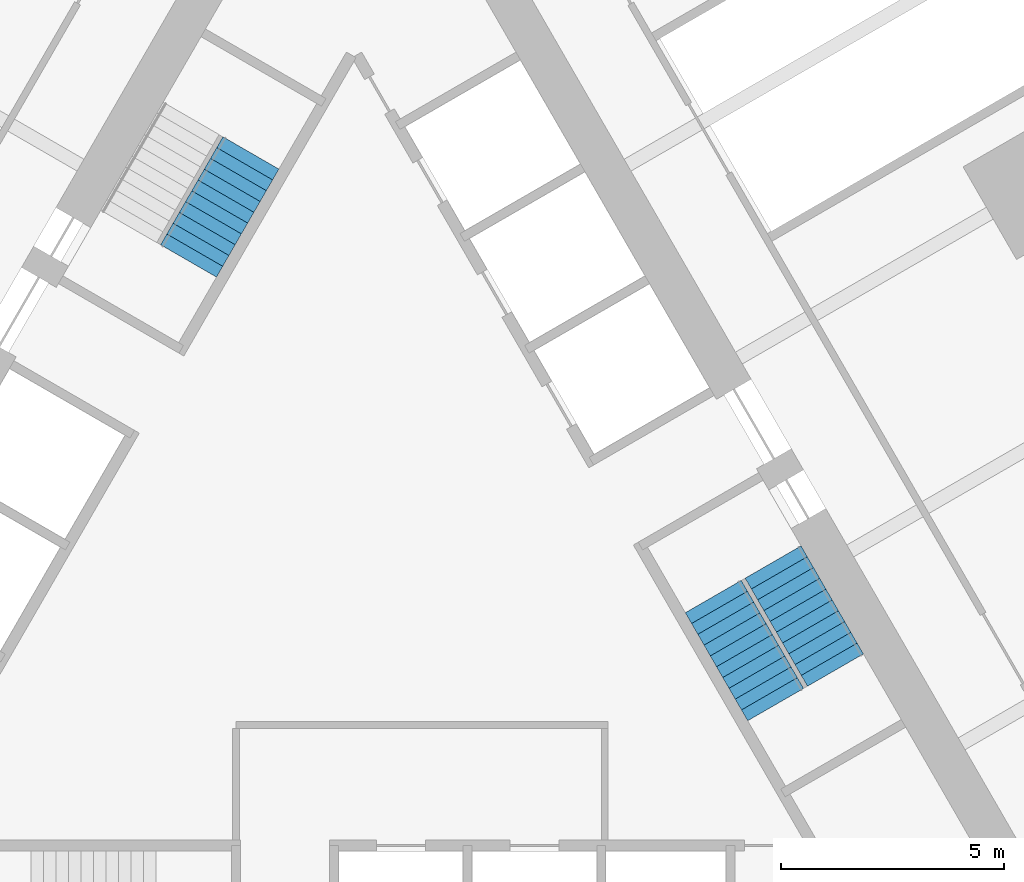
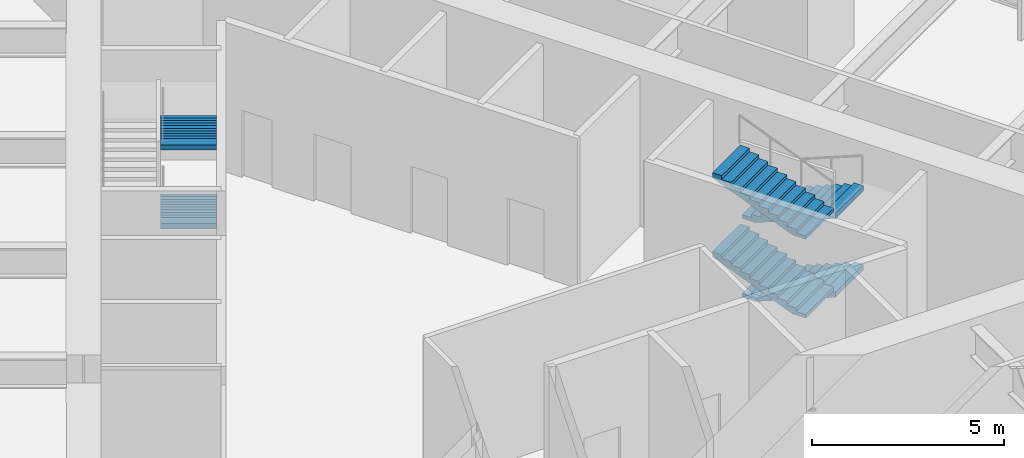
# One storey, part 11 of 13: 6 stair flights, 2 elements without a shape of their own.
"""IFC4 building model written with IfcOpenShell, lengths in metres."""

from ifc_helpers import new_model, si_unit, direction, frame, origin, place, context, subcontext, project, spatial, polyline, outline, extrude, material, type_object, element, aggregate, save


model = new_model("IFC4")

# Units and contexts
model_context = context("Model", 3, precision=1e-05, world=origin(), true_north=direction((0.0, 1.0)))
body_context = subcontext(model_context, "Body", "Model", "MODEL_VIEW")
ifc_project = project(units=[si_unit("LENGTHUNIT", "METRE"), si_unit("AREAUNIT", "SQUARE_METRE"), si_unit("VOLUMEUNIT", "CUBIC_METRE"), si_unit("PLANEANGLEUNIT", "RADIAN"), si_unit("MASSUNIT", "GRAM", prefix="KILO")], contexts=[model_context])

# Site, building, storey
site_placement = place(None, origin())
site = spatial("IfcSite", under=ifc_project, at=site_placement, CompositionType="ELEMENT")
building_placement = place(site_placement, origin())
building = spatial("IfcBuilding", under=site, at=building_placement, Name="Trikona Tower", CompositionType="ELEMENT")
storey_placement = place(building_placement, frame((0.0, 0.0, 17.5)))
storey = spatial("IfcBuildingStorey", under=building, at=storey_placement, Name="L03", CompositionType="ELEMENT", Elevation=17.5)

# Stair, stair flights
ifc_material_1 = material(Name="Concrete f'c 5000 psi", Category="concrete")
stair_type = type_object("IfcStairType", Name="Core stair", PredefinedType="HALF_TURN_STAIR", material=ifc_material_1)
stair_1_placement = place(storey_placement, origin())
stair_1 = element("IfcStair", 1, at=stair_1_placement, inside=storey, type_object=stair_type, Name="Stair B L03", PredefinedType="HALF_TURN_STAIR")
ifc_material_2 = material(Name="Concrete f'c 5000 psi", Category="concrete")
stair_flight_type = type_object("IfcStairFlightType", Name="Core stair flight 1450", PredefinedType="STRAIGHT", material=ifc_material_2)
stair_flight_1_placement = place(storey_placement, frame((9.407470703125, 0.408447265625, 0.0), z_axis=(0.0, 0.0, 1.0), x_axis=(0.5, -0.866025403784, 0.0)))
stair_flight_1 = element("IfcStairFlight", 2, at=stair_flight_1_placement, type_object=stair_flight_type, Name="ST-B flight 1", NumberOfRisers=11, NumberOfTreads=10, PredefinedType="STRAIGHT", RiserHeight=0.113636, TreadLength=0.28, context=body_context, shape_type="SweptSolid", body=[
    extrude(outline(polyline([(0.0, 0.0), (0.0, 0.113525390625), (0.280029296875, 0.113525390625), (0.280029296875, 0.227294921875), (0.56005859375, 0.227294921875), (0.56005859375, 0.3408203125), (0.840087890625, 0.3408203125), (0.840087890625, 0.45458984375), (1.1201171875, 0.45458984375), (1.1201171875, 0.568115234375), (1.39990234375, 0.568115234375), (1.39990234375, 0.681884765625), (1.679931640625, 0.681884765625), (1.679931640625, 0.79541015625), (1.9599609375, 0.79541015625), (1.9599609375, 0.9091796875), (2.239990234375, 0.9091796875), (2.239990234375, 1.022705078125), (2.52001953125, 1.022705078125), (2.52001953125, 1.136474609375), (2.800048828125, 1.136474609375), (2.800048828125, 1.25), (2.800048828125, 0.974609375), (0.398681640625, 0.0), (0.0, 0.0)])), frame((0.0, 0.72509765625, 0.0), z_axis=(0.0, -1.0, 0.0), x_axis=(1.0, 0.0, 0.0)), (0.0, 0.0, 1.0), 1.449951171875),
])
stair_flight_2_placement = place(storey_placement, frame((9.465087890625, -2.79150390625, 1.25), z_axis=(0.0, 0.0, 1.0), x_axis=(-0.5, 0.866025403784, 0.0)))
stair_flight_2 = element("IfcStairFlight", 3, at=stair_flight_2_placement, type_object=stair_flight_type, Name="ST-B flight 2", NumberOfRisers=11, NumberOfTreads=10, PredefinedType="STRAIGHT", RiserHeight=0.113636, TreadLength=0.28, context=body_context, shape_type="SweptSolid", body=[
    extrude(outline(polyline([(0.0, 0.0), (0.0, 0.113525390625), (0.280029296875, 0.113525390625), (0.280029296875, 0.227294921875), (0.56005859375, 0.227294921875), (0.56005859375, 0.3408203125), (0.840087890625, 0.3408203125), (0.840087890625, 0.45458984375), (1.1201171875, 0.45458984375), (1.1201171875, 0.568115234375), (1.39990234375, 0.568115234375), (1.39990234375, 0.681884765625), (1.679931640625, 0.681884765625), (1.679931640625, 0.79541015625), (1.9599609375, 0.79541015625), (1.9599609375, 0.9091796875), (2.239990234375, 0.9091796875), (2.239990234375, 1.022705078125), (2.52001953125, 1.022705078125), (2.52001953125, 1.136474609375), (2.800048828125, 1.136474609375), (2.800048828125, 1.25), (2.800048828125, 0.974609375), (0.398681640625, 0.0), (0.0, 0.0)])), frame((0.0, 0.72509765625, 0.0), z_axis=(0.0, -1.0, 0.0), x_axis=(1.0, 0.0, 0.0)), (0.0, 0.0, 1.0), 1.449951171875),
])
stair_flight_3_placement = place(storey_placement, frame((9.407470703125, 0.408447265625, 2.5), z_axis=(0.0, 0.0, 1.0), x_axis=(0.5, -0.866025403784, 0.0)))
stair_flight_3 = element("IfcStairFlight", 4, at=stair_flight_3_placement, type_object=stair_flight_type, Name="ST-B flight 3", NumberOfRisers=11, NumberOfTreads=10, PredefinedType="STRAIGHT", RiserHeight=0.113636, TreadLength=0.28, context=body_context, shape_type="SweptSolid", body=[
    extrude(outline(polyline([(0.0, 0.0), (0.0, 0.113525390625), (0.280029296875, 0.113525390625), (0.280029296875, 0.227294921875), (0.56005859375, 0.227294921875), (0.56005859375, 0.3408203125), (0.840087890625, 0.3408203125), (0.840087890625, 0.45458984375), (1.1201171875, 0.45458984375), (1.1201171875, 0.568115234375), (1.39990234375, 0.568115234375), (1.39990234375, 0.681884765625), (1.679931640625, 0.681884765625), (1.679931640625, 0.79541015625), (1.9599609375, 0.79541015625), (1.9599609375, 0.9091796875), (2.239990234375, 0.9091796875), (2.239990234375, 1.022705078125), (2.52001953125, 1.022705078125), (2.52001953125, 1.136474609375), (2.800048828125, 1.136474609375), (2.800048828125, 1.25), (2.800048828125, 0.974609375), (0.398681640625, 0.0), (0.0, 0.0)])), frame((0.0, 0.72509765625, 0.0), z_axis=(0.0, -1.0, 0.0), x_axis=(1.0, 0.0, 0.0)), (0.0, 0.0, 1.0), 1.449951171875),
])
stair_flight_4_placement = place(storey_placement, frame((9.465087890625, -2.79150390625, 3.75), z_axis=(0.0, 0.0, 1.0), x_axis=(-0.5, 0.866025403784, 0.0)))
stair_flight_4 = element("IfcStairFlight", 5, at=stair_flight_4_placement, type_object=stair_flight_type, Name="ST-B flight 4", NumberOfRisers=11, NumberOfTreads=10, PredefinedType="STRAIGHT", RiserHeight=0.113636, TreadLength=0.28, context=body_context, shape_type="SweptSolid", body=[
    extrude(outline(polyline([(0.0, 0.0), (0.0, 0.113525390625), (0.280029296875, 0.113525390625), (0.280029296875, 0.227294921875), (0.56005859375, 0.227294921875), (0.56005859375, 0.3408203125), (0.840087890625, 0.3408203125), (0.840087890625, 0.45458984375), (1.1201171875, 0.45458984375), (1.1201171875, 0.568115234375), (1.39990234375, 0.568115234375), (1.39990234375, 0.681884765625), (1.679931640625, 0.681884765625), (1.679931640625, 0.79541015625), (1.9599609375, 0.79541015625), (1.9599609375, 0.9091796875), (2.239990234375, 0.9091796875), (2.239990234375, 1.022705078125), (2.52001953125, 1.022705078125), (2.52001953125, 1.136474609375), (2.800048828125, 1.136474609375), (2.800048828125, 1.25), (2.800048828125, 0.974609375), (0.398681640625, 0.0), (0.0, 0.0)])), frame((0.0, 0.72509765625, 0.0), z_axis=(0.0, -1.0, 0.0), x_axis=(1.0, 0.0, 0.0)), (0.0, 0.0, 1.0), 1.449951171875),
])
aggregate(stair_1, [stair_flight_1, stair_flight_2, stair_flight_3, stair_flight_4])

stair_2_placement = place(storey_placement, origin())
stair_2 = element("IfcStair", 6, at=stair_2_placement, inside=storey, type_object=stair_type, Name="Stair C L03", PredefinedType="HALF_TURN_STAIR")
stair_flight_5_placement = place(storey_placement, frame((-2.315185546875, 9.5927734375, 1.25), z_axis=(0.0, 0.0, 1.0), x_axis=(-0.5, -0.866025403784, 0.0)))
stair_flight_5 = element("IfcStairFlight", 7, at=stair_flight_5_placement, type_object=stair_flight_type, Name="ST-C flight 2", NumberOfRisers=11, NumberOfTreads=10, PredefinedType="STRAIGHT", RiserHeight=0.113636, TreadLength=0.28, context=body_context, shape_type="SweptSolid", body=[
    extrude(outline(polyline([(0.0, 0.0), (0.0, 0.113525390625), (0.280029296875, 0.113525390625), (0.280029296875, 0.227294921875), (0.56005859375, 0.227294921875), (0.56005859375, 0.3408203125), (0.840087890625, 0.3408203125), (0.840087890625, 0.45458984375), (1.1201171875, 0.45458984375), (1.1201171875, 0.568115234375), (1.39990234375, 0.568115234375), (1.39990234375, 0.681884765625), (1.679931640625, 0.681884765625), (1.679931640625, 0.79541015625), (1.9599609375, 0.79541015625), (1.9599609375, 0.9091796875), (2.239990234375, 0.9091796875), (2.239990234375, 1.022705078125), (2.52001953125, 1.022705078125), (2.52001953125, 1.136474609375), (2.800048828125, 1.136474609375), (2.800048828125, 1.25), (2.800048828125, 0.974609375), (0.398681640625, 0.0), (0.0, 0.0)])), frame((0.0, 0.72509765625, 0.0), z_axis=(0.0, -1.0, 0.0), x_axis=(1.0, 0.0, 0.0)), (0.0, 0.0, 1.0), 1.449951171875),
])
stair_flight_6_placement = place(storey_placement, frame((-2.315185546875, 9.5927734375, 3.75), z_axis=(0.0, 0.0, 1.0), x_axis=(-0.5, -0.866025403784, 0.0)))
stair_flight_6 = element("IfcStairFlight", 8, at=stair_flight_6_placement, type_object=stair_flight_type, Name="ST-C flight 4", NumberOfRisers=11, NumberOfTreads=10, PredefinedType="STRAIGHT", RiserHeight=0.113636, TreadLength=0.28, context=body_context, shape_type="SweptSolid", body=[
    extrude(outline(polyline([(0.0, 0.0), (0.0, 0.113525390625), (0.280029296875, 0.113525390625), (0.280029296875, 0.227294921875), (0.56005859375, 0.227294921875), (0.56005859375, 0.3408203125), (0.840087890625, 0.3408203125), (0.840087890625, 0.45458984375), (1.1201171875, 0.45458984375), (1.1201171875, 0.568115234375), (1.39990234375, 0.568115234375), (1.39990234375, 0.681884765625), (1.679931640625, 0.681884765625), (1.679931640625, 0.79541015625), (1.9599609375, 0.79541015625), (1.9599609375, 0.9091796875), (2.239990234375, 0.9091796875), (2.239990234375, 1.022705078125), (2.52001953125, 1.022705078125), (2.52001953125, 1.136474609375), (2.800048828125, 1.136474609375), (2.800048828125, 1.25), (2.800048828125, 0.974609375), (0.398681640625, 0.0), (0.0, 0.0)])), frame((0.0, 0.72509765625, 0.0), z_axis=(0.0, -1.0, 0.0), x_axis=(1.0, 0.0, 0.0)), (0.0, 0.0, 1.0), 1.449951171875),
])
aggregate(stair_2, [stair_flight_5, stair_flight_6])

save(model, "model.ifc")
